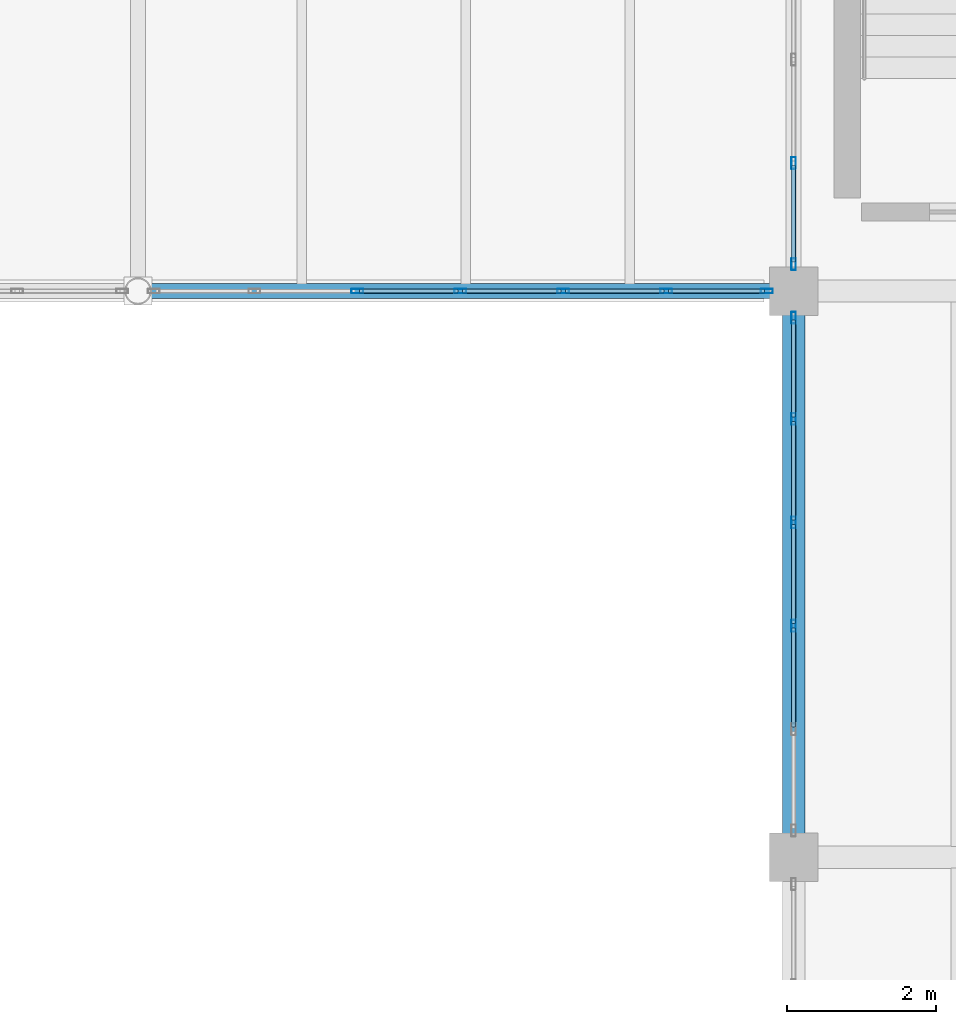
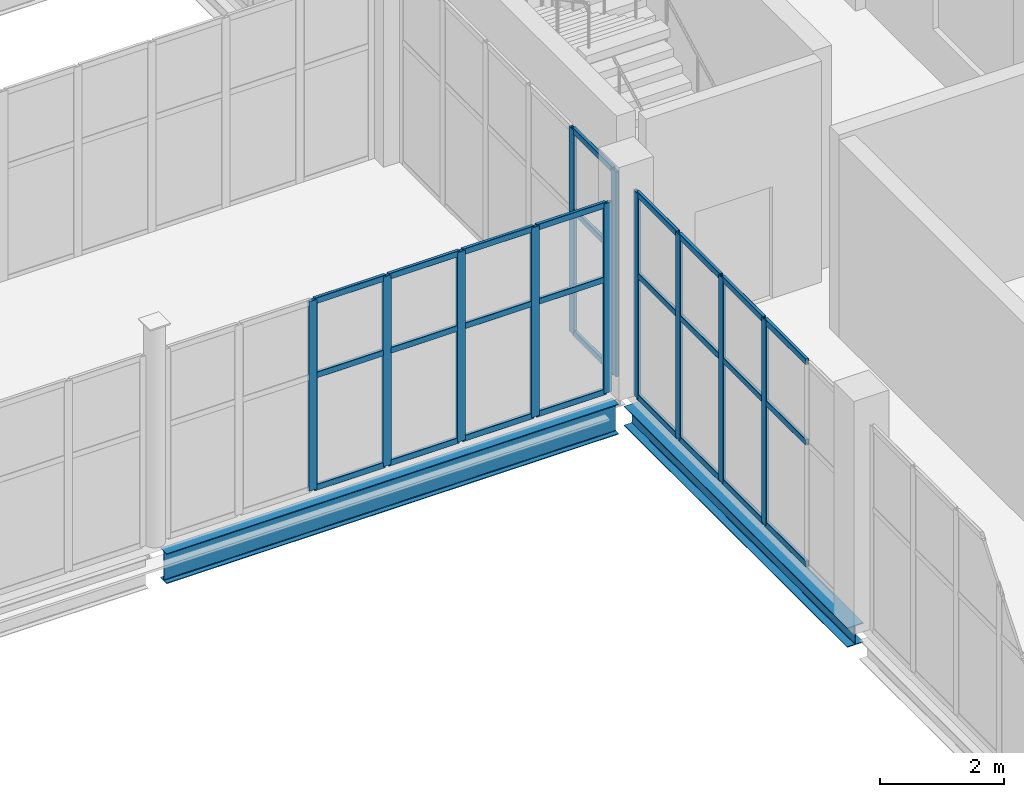
# One storey, part 106 of 172: 38 members, 2 beams, 3 elements without a shape of their own.
"""IFC4 building model written with IfcOpenShell, lengths in metres."""

from ifc_helpers import new_model, si_unit, direction, frame, origin, origin_2d, place, context, subcontext, project, spatial, hollow_rectangle, i_section, extrude, material, material_profile, profile_set, type_object, element, aggregate, save


model = new_model("IFC4")

# Units and contexts
model_context = context("Model", 3, precision=1e-05, world=origin(), true_north=direction((0.0, 1.0)))
body_context = subcontext(model_context, "Body", "Model", "MODEL_VIEW")
ifc_project = project(units=[si_unit("LENGTHUNIT", "METRE"), si_unit("AREAUNIT", "SQUARE_METRE"), si_unit("VOLUMEUNIT", "CUBIC_METRE"), si_unit("PLANEANGLEUNIT", "RADIAN"), si_unit("MASSUNIT", "GRAM", prefix="KILO")], contexts=[model_context])

# Site, building, storey
site_placement = place(None, origin())
site = spatial("IfcSite", under=ifc_project, at=site_placement, CompositionType="ELEMENT")
building_placement = place(site_placement, origin())
building = spatial("IfcBuilding", under=site, at=building_placement, Name="Shengluoqiao Park Theatre", CompositionType="ELEMENT")
storey_placement = place(building_placement, frame((0.0, 0.0, 5.39990234375)))
storey = spatial("IfcBuildingStorey", under=building, at=storey_placement, Name="L01", CompositionType="ELEMENT", Elevation=5.39990234375)

# Curtain wall, members
ifc_material_1 = material(Name="Aluminium 6063-T6", Category="aluminium")
curtain_wall_type_1 = type_object("IfcCurtainWallType", Name="ENV-CW-BRIDGE", PredefinedType="NOTDEFINED", material=ifc_material_1)
curtain_wall_1_placement = place(storey_placement, origin())
curtain_wall_1 = element("IfcCurtainWall", 1, at=curtain_wall_1_placement, inside=storey, type_object=curtain_wall_type_1, Name="L01 Curtain Wall CWX-L01-0135", PredefinedType="NOTDEFINED")
ifc_material_profile_1 = material_profile(ifc_material_1, hollow_rectangle(XDim=0.06005859375, YDim=0.159912109375, WallThickness=0.00390625, InnerFilletRadius=0.00390625, OuterFilletRadius=0.008056640625, at=origin_2d()), Name="ALU MULLION 160x60x4")
ifc_profile_set_1 = profile_set([ifc_material_profile_1], Name="Aluminium 6063-T6")
member_type_1 = type_object("IfcMemberType", Name="ENV-MUL-160", PredefinedType="MULLION", material=ifc_profile_set_1)
member_1_placement = place(storey_placement, frame((151.344970703125, 53.199951171875, 0.0), z_axis=(0.0, 0.0, 1.0), x_axis=(0.0, 1.0, 0.0)))
member_1 = element("IfcMember", 2, at=member_1_placement, type_object=member_type_1, Name="CW-03 mullion 3", PredefinedType="MULLION", context=body_context, shape_type="SweptSolid", body=[
    extrude(hollow_rectangle(XDim=0.06005859375, YDim=0.159912109375, WallThickness=0.00390625, InnerFilletRadius=0.00390625, OuterFilletRadius=0.008056640625, at=origin_2d()), origin(), (0.0, 0.0, 1.0), 3.7421875),
])
member_2_placement = place(storey_placement, frame((152.7265625, 53.199951171875, 0.0), z_axis=(0.0, 0.0, 1.0), x_axis=(0.0, 1.0, 0.0)))
member_2 = element("IfcMember", 3, at=member_2_placement, type_object=member_type_1, Name="CW-03 mullion 4", PredefinedType="MULLION", context=body_context, shape_type="SweptSolid", body=[
    extrude(hollow_rectangle(XDim=0.06005859375, YDim=0.159912109375, WallThickness=0.00390625, InnerFilletRadius=0.00390625, OuterFilletRadius=0.008056640625, at=origin_2d()), origin(), (0.0, 0.0, 1.0), 3.7421875),
])
member_3_placement = place(storey_placement, frame((154.10791015625, 53.199951171875, 0.0), z_axis=(0.0, 0.0, 1.0), x_axis=(0.0, 1.0, 0.0)))
member_3 = element("IfcMember", 4, at=member_3_placement, type_object=member_type_1, Name="CW-03 mullion 5", PredefinedType="MULLION", context=body_context, shape_type="SweptSolid", body=[
    extrude(hollow_rectangle(XDim=0.06005859375, YDim=0.159912109375, WallThickness=0.00390625, InnerFilletRadius=0.00390625, OuterFilletRadius=0.008056640625, at=origin_2d()), origin(), (0.0, 0.0, 1.0), 3.7421875),
])
member_4_placement = place(storey_placement, frame((155.489501953125, 53.199951171875, 0.0), z_axis=(0.0, 0.0, 1.0), x_axis=(0.0, 1.0, 0.0)))
member_4 = element("IfcMember", 5, at=member_4_placement, type_object=member_type_1, Name="CW-03 mullion 6", PredefinedType="MULLION", context=body_context, shape_type="SweptSolid", body=[
    extrude(hollow_rectangle(XDim=0.06005859375, YDim=0.159912109375, WallThickness=0.00390625, InnerFilletRadius=0.00390625, OuterFilletRadius=0.008056640625, at=origin_2d()), origin(), (0.0, 0.0, 1.0), 3.7421875),
])
member_5_placement = place(storey_placement, frame((156.841064453125, 53.199951171875, 0.0), z_axis=(0.0, 0.0, 1.0), x_axis=(0.0, 1.0, 0.0)))
member_5 = element("IfcMember", 6, at=member_5_placement, type_object=member_type_1, Name="CW-03 mullion 7", PredefinedType="MULLION", context=body_context, shape_type="SweptSolid", body=[
    extrude(hollow_rectangle(XDim=0.06005859375, YDim=0.159912109375, WallThickness=0.00390625, InnerFilletRadius=0.00390625, OuterFilletRadius=0.008056640625, at=origin_2d()), origin(), (0.0, 0.0, 1.0), 3.7421875),
])

curtain_wall_type_2 = type_object("IfcCurtainWallType", Name="ENV-CW-COURT", PredefinedType="NOTDEFINED", material=ifc_material_1)
curtain_wall_2_placement = place(storey_placement, origin())
curtain_wall_2 = element("IfcCurtainWall", 7, at=curtain_wall_2_placement, inside=storey, type_object=curtain_wall_type_2, Name="L01 Curtain Wall CWX-L01-0184", PredefinedType="NOTDEFINED")
member_6_placement = place(storey_placement, frame((157.199951171875, 48.705810546875, 0.0), z_axis=(0.0, 0.0, 1.0), x_axis=(-1.0, 0.0, 0.0)))
member_6 = element("IfcMember", 8, at=member_6_placement, type_object=member_type_1, Name="CW-05 mullion 3", PredefinedType="MULLION", context=body_context, shape_type="SweptSolid", body=[
    extrude(hollow_rectangle(XDim=0.06005859375, YDim=0.159912109375, WallThickness=0.00390625, InnerFilletRadius=0.00390625, OuterFilletRadius=0.008056640625, at=origin_2d()), origin(), (0.0, 0.0, 1.0), 4.044189453125),
])
member_7_placement = place(storey_placement, frame((157.199951171875, 50.09423828125, 0.0), z_axis=(0.0, 0.0, 1.0), x_axis=(-1.0, 0.0, 0.0)))
member_7 = element("IfcMember", 9, at=member_7_placement, type_object=member_type_1, Name="CW-05 mullion 4", PredefinedType="MULLION", context=body_context, shape_type="SweptSolid", body=[
    extrude(hollow_rectangle(XDim=0.06005859375, YDim=0.159912109375, WallThickness=0.00390625, InnerFilletRadius=0.00390625, OuterFilletRadius=0.008056640625, at=origin_2d()), origin(), (0.0, 0.0, 1.0), 4.044189453125),
])
member_8_placement = place(storey_placement, frame((157.199951171875, 51.482666015625, 0.0), z_axis=(0.0, 0.0, 1.0), x_axis=(-1.0, 0.0, 0.0)))
member_8 = element("IfcMember", 10, at=member_8_placement, type_object=member_type_1, Name="CW-05 mullion 5", PredefinedType="MULLION", context=body_context, shape_type="SweptSolid", body=[
    extrude(hollow_rectangle(XDim=0.06005859375, YDim=0.159912109375, WallThickness=0.00390625, InnerFilletRadius=0.00390625, OuterFilletRadius=0.008056640625, at=origin_2d()), origin(), (0.0, 0.0, 1.0), 4.044189453125),
])
member_9_placement = place(storey_placement, frame((157.199951171875, 52.841064453125, 0.0), z_axis=(0.0, 0.0, 1.0), x_axis=(-1.0, 0.0, 0.0)))
member_9 = element("IfcMember", 11, at=member_9_placement, type_object=member_type_1, Name="CW-05 mullion 6", PredefinedType="MULLION", context=body_context, shape_type="SweptSolid", body=[
    extrude(hollow_rectangle(XDim=0.06005859375, YDim=0.159912109375, WallThickness=0.00390625, InnerFilletRadius=0.00390625, OuterFilletRadius=0.008056640625, at=origin_2d()), origin(), (0.0, 0.0, 1.0), 4.044189453125),
])

curtain_wall_3_placement = place(storey_placement, origin())
curtain_wall_3 = element("IfcCurtainWall", 12, at=curtain_wall_3_placement, inside=storey, type_object=curtain_wall_type_2, Name="L01 Curtain Wall CWX-L01-0185", PredefinedType="NOTDEFINED")
member_10_placement = place(storey_placement, frame((157.199951171875, 53.55908203125, 0.0), z_axis=(0.0, 0.0, 1.0), x_axis=(-1.0, 0.0, 0.0)))
member_10 = element("IfcMember", 13, at=member_10_placement, type_object=member_type_1, Name="CW-05 mullion 1", PredefinedType="MULLION", context=body_context, shape_type="SweptSolid", body=[
    extrude(hollow_rectangle(XDim=0.06005859375, YDim=0.159912109375, WallThickness=0.00390625, InnerFilletRadius=0.00390625, OuterFilletRadius=0.008056640625, at=origin_2d()), origin(), (0.0, 0.0, 1.0), 4.044189453125),
])
member_11_placement = place(storey_placement, frame((157.199951171875, 54.91748046875, 0.0), z_axis=(0.0, 0.0, 1.0), x_axis=(-1.0, 0.0, 0.0)))
member_11 = element("IfcMember", 14, at=member_11_placement, type_object=member_type_1, Name="CW-05 mullion 2", PredefinedType="MULLION", context=body_context, shape_type="SweptSolid", body=[
    extrude(hollow_rectangle(XDim=0.06005859375, YDim=0.159912109375, WallThickness=0.00390625, InnerFilletRadius=0.00390625, OuterFilletRadius=0.008056640625, at=origin_2d()), origin(), (0.0, 0.0, 1.0), 4.044189453125),
])

# Member
ifc_material_profile_2 = material_profile(ifc_material_1, hollow_rectangle(XDim=0.06005859375, YDim=0.1201171875, WallThickness=0.00390625, InnerFilletRadius=0.00390625, OuterFilletRadius=0.008056640625, at=origin_2d()), Name="ALU TRANSOM 120x60x4")
ifc_profile_set_2 = profile_set([ifc_material_profile_2], Name="Aluminium 6063-T6")
member_type_2 = type_object("IfcMemberType", Name="ENV-TRN-120", PredefinedType="USERDEFINED", material=ifc_profile_set_2)
member_12_placement = place(storey_placement, frame((151.375, 53.199951171875, 0.030029296875), z_axis=(1.0, 0.0, 0.0), x_axis=(0.0, 1.0, 0.0)))
member_12 = element("IfcMember", 15, at=member_12_placement, type_object=member_type_2, Name="CW-03 transom 3.1", ObjectType="TRANSOM", PredefinedType="USERDEFINED", context=body_context, shape_type="SweptSolid", body=[
    extrude(hollow_rectangle(XDim=0.06005859375, YDim=0.1201171875, WallThickness=0.00390625, InnerFilletRadius=0.00390625, OuterFilletRadius=0.008056640625, at=origin_2d()), origin(), (0.0, 0.0, 1.0), 1.321533203125),
])

member_13_placement = place(storey_placement, frame((151.375, 53.199951171875, 2.2451171875), z_axis=(1.0, 0.0, 0.0), x_axis=(0.0, 1.0, 0.0)))
member_13 = element("IfcMember", 16, at=member_13_placement, type_object=member_type_2, Name="CW-03 transom 3.2", ObjectType="TRANSOM", PredefinedType="USERDEFINED", context=body_context, shape_type="SweptSolid", body=[
    extrude(hollow_rectangle(XDim=0.06005859375, YDim=0.1201171875, WallThickness=0.00390625, InnerFilletRadius=0.00390625, OuterFilletRadius=0.008056640625, at=origin_2d()), origin(), (0.0, 0.0, 1.0), 1.321533203125),
])

member_14_placement = place(storey_placement, frame((151.375, 53.199951171875, 3.712158203125), z_axis=(1.0, 0.0, 0.0), x_axis=(0.0, 1.0, 0.0)))
member_14 = element("IfcMember", 17, at=member_14_placement, type_object=member_type_2, Name="CW-03 transom 3.3", ObjectType="TRANSOM", PredefinedType="USERDEFINED", context=body_context, shape_type="SweptSolid", body=[
    extrude(hollow_rectangle(XDim=0.06005859375, YDim=0.1201171875, WallThickness=0.00390625, InnerFilletRadius=0.00390625, OuterFilletRadius=0.008056640625, at=origin_2d()), origin(), (0.0, 0.0, 1.0), 1.321533203125),
])

member_15_placement = place(storey_placement, frame((152.756591796875, 53.199951171875, 0.030029296875), z_axis=(1.0, 0.0, 0.0), x_axis=(0.0, 1.0, 0.0)))
member_15 = element("IfcMember", 18, at=member_15_placement, type_object=member_type_2, Name="CW-03 transom 4.1", ObjectType="TRANSOM", PredefinedType="USERDEFINED", context=body_context, shape_type="SweptSolid", body=[
    extrude(hollow_rectangle(XDim=0.06005859375, YDim=0.1201171875, WallThickness=0.00390625, InnerFilletRadius=0.00390625, OuterFilletRadius=0.008056640625, at=origin_2d()), origin(), (0.0, 0.0, 1.0), 1.3212890625),
])

member_16_placement = place(storey_placement, frame((152.756591796875, 53.199951171875, 2.2451171875), z_axis=(1.0, 0.0, 0.0), x_axis=(0.0, 1.0, 0.0)))
member_16 = element("IfcMember", 19, at=member_16_placement, type_object=member_type_2, Name="CW-03 transom 4.2", ObjectType="TRANSOM", PredefinedType="USERDEFINED", context=body_context, shape_type="SweptSolid", body=[
    extrude(hollow_rectangle(XDim=0.06005859375, YDim=0.1201171875, WallThickness=0.00390625, InnerFilletRadius=0.00390625, OuterFilletRadius=0.008056640625, at=origin_2d()), origin(), (0.0, 0.0, 1.0), 1.3212890625),
])

member_17_placement = place(storey_placement, frame((152.756591796875, 53.199951171875, 3.712158203125), z_axis=(1.0, 0.0, 0.0), x_axis=(0.0, 1.0, 0.0)))
member_17 = element("IfcMember", 20, at=member_17_placement, type_object=member_type_2, Name="CW-03 transom 4.3", ObjectType="TRANSOM", PredefinedType="USERDEFINED", context=body_context, shape_type="SweptSolid", body=[
    extrude(hollow_rectangle(XDim=0.06005859375, YDim=0.1201171875, WallThickness=0.00390625, InnerFilletRadius=0.00390625, OuterFilletRadius=0.008056640625, at=origin_2d()), origin(), (0.0, 0.0, 1.0), 1.3212890625),
])

member_18_placement = place(storey_placement, frame((154.137939453125, 53.199951171875, 0.030029296875), z_axis=(1.0, 0.0, 0.0), x_axis=(0.0, 1.0, 0.0)))
member_18 = element("IfcMember", 21, at=member_18_placement, type_object=member_type_2, Name="CW-03 transom 5.1", ObjectType="TRANSOM", PredefinedType="USERDEFINED", context=body_context, shape_type="SweptSolid", body=[
    extrude(hollow_rectangle(XDim=0.06005859375, YDim=0.1201171875, WallThickness=0.00390625, InnerFilletRadius=0.00390625, OuterFilletRadius=0.008056640625, at=origin_2d()), origin(), (0.0, 0.0, 1.0), 1.321533203125),
])

member_19_placement = place(storey_placement, frame((154.137939453125, 53.199951171875, 2.2451171875), z_axis=(1.0, 0.0, 0.0), x_axis=(0.0, 1.0, 0.0)))
member_19 = element("IfcMember", 22, at=member_19_placement, type_object=member_type_2, Name="CW-03 transom 5.2", ObjectType="TRANSOM", PredefinedType="USERDEFINED", context=body_context, shape_type="SweptSolid", body=[
    extrude(hollow_rectangle(XDim=0.06005859375, YDim=0.1201171875, WallThickness=0.00390625, InnerFilletRadius=0.00390625, OuterFilletRadius=0.008056640625, at=origin_2d()), origin(), (0.0, 0.0, 1.0), 1.321533203125),
])

member_20_placement = place(storey_placement, frame((154.137939453125, 53.199951171875, 3.712158203125), z_axis=(1.0, 0.0, 0.0), x_axis=(0.0, 1.0, 0.0)))
member_20 = element("IfcMember", 23, at=member_20_placement, type_object=member_type_2, Name="CW-03 transom 5.3", ObjectType="TRANSOM", PredefinedType="USERDEFINED", context=body_context, shape_type="SweptSolid", body=[
    extrude(hollow_rectangle(XDim=0.06005859375, YDim=0.1201171875, WallThickness=0.00390625, InnerFilletRadius=0.00390625, OuterFilletRadius=0.008056640625, at=origin_2d()), origin(), (0.0, 0.0, 1.0), 1.321533203125),
])

member_21_placement = place(storey_placement, frame((155.51953125, 53.199951171875, 0.030029296875), z_axis=(1.0, 0.0, 0.0), x_axis=(0.0, 1.0, 0.0)))
member_21 = element("IfcMember", 24, at=member_21_placement, type_object=member_type_2, Name="CW-03 transom 6.1", ObjectType="TRANSOM", PredefinedType="USERDEFINED", context=body_context, shape_type="SweptSolid", body=[
    extrude(hollow_rectangle(XDim=0.06005859375, YDim=0.1201171875, WallThickness=0.00390625, InnerFilletRadius=0.00390625, OuterFilletRadius=0.008056640625, at=origin_2d()), origin(), (0.0, 0.0, 1.0), 1.29150390625),
])

member_22_placement = place(storey_placement, frame((155.51953125, 53.199951171875, 2.2451171875), z_axis=(1.0, 0.0, 0.0), x_axis=(0.0, 1.0, 0.0)))
member_22 = element("IfcMember", 25, at=member_22_placement, type_object=member_type_2, Name="CW-03 transom 6.2", ObjectType="TRANSOM", PredefinedType="USERDEFINED", context=body_context, shape_type="SweptSolid", body=[
    extrude(hollow_rectangle(XDim=0.06005859375, YDim=0.1201171875, WallThickness=0.00390625, InnerFilletRadius=0.00390625, OuterFilletRadius=0.008056640625, at=origin_2d()), origin(), (0.0, 0.0, 1.0), 1.29150390625),
])

member_23_placement = place(storey_placement, frame((155.51953125, 53.199951171875, 3.712158203125), z_axis=(1.0, 0.0, 0.0), x_axis=(0.0, 1.0, 0.0)))
member_23 = element("IfcMember", 26, at=member_23_placement, type_object=member_type_2, Name="CW-03 transom 6.3", ObjectType="TRANSOM", PredefinedType="USERDEFINED", context=body_context, shape_type="SweptSolid", body=[
    extrude(hollow_rectangle(XDim=0.06005859375, YDim=0.1201171875, WallThickness=0.00390625, InnerFilletRadius=0.00390625, OuterFilletRadius=0.008056640625, at=origin_2d()), origin(), (0.0, 0.0, 1.0), 1.29150390625),
])

aggregate(curtain_wall_1, [member_1, member_2, member_3, member_4, member_5, member_12, member_13, member_14, member_15, member_16, member_17, member_18, member_19, member_20, member_21, member_22, member_23])

member_24_placement = place(storey_placement, frame((157.199951171875, 47.347412109375, 0.030029296875), z_axis=(0.0, 1.0, 0.0), x_axis=(-1.0, 0.0, 0.0)))
member_24 = element("IfcMember", 27, at=member_24_placement, type_object=member_type_2, Name="CW-05 transom 2.1", ObjectType="TRANSOM", PredefinedType="USERDEFINED", context=body_context, shape_type="SweptSolid", body=[
    extrude(hollow_rectangle(XDim=0.06005859375, YDim=0.1201171875, WallThickness=0.00390625, InnerFilletRadius=0.00390625, OuterFilletRadius=0.008056640625, at=origin_2d()), origin(), (0.0, 0.0, 1.0), 1.328369140625),
])

member_25_placement = place(storey_placement, frame((157.199951171875, 47.347412109375, 2.426025390625), z_axis=(0.0, 1.0, 0.0), x_axis=(-1.0, 0.0, 0.0)))
member_25 = element("IfcMember", 28, at=member_25_placement, type_object=member_type_2, Name="CW-05 transom 2.2", ObjectType="TRANSOM", PredefinedType="USERDEFINED", context=body_context, shape_type="SweptSolid", body=[
    extrude(hollow_rectangle(XDim=0.06005859375, YDim=0.1201171875, WallThickness=0.00390625, InnerFilletRadius=0.00390625, OuterFilletRadius=0.008056640625, at=origin_2d()), origin(), (0.0, 0.0, 1.0), 1.328369140625),
])

member_26_placement = place(storey_placement, frame((157.199951171875, 47.347412109375, 4.01416015625), z_axis=(0.0, 1.0, 0.0), x_axis=(-1.0, 0.0, 0.0)))
member_26 = element("IfcMember", 29, at=member_26_placement, type_object=member_type_2, Name="CW-05 transom 2.3", ObjectType="TRANSOM", PredefinedType="USERDEFINED", context=body_context, shape_type="SweptSolid", body=[
    extrude(hollow_rectangle(XDim=0.06005859375, YDim=0.1201171875, WallThickness=0.00390625, InnerFilletRadius=0.00390625, OuterFilletRadius=0.008056640625, at=origin_2d()), origin(), (0.0, 0.0, 1.0), 1.328369140625),
])

member_27_placement = place(storey_placement, frame((157.199951171875, 48.73583984375, 0.030029296875), z_axis=(0.0, 1.0, 0.0), x_axis=(-1.0, 0.0, 0.0)))
member_27 = element("IfcMember", 30, at=member_27_placement, type_object=member_type_2, Name="CW-05 transom 3.1", ObjectType="TRANSOM", PredefinedType="USERDEFINED", context=body_context, shape_type="SweptSolid", body=[
    extrude(hollow_rectangle(XDim=0.06005859375, YDim=0.1201171875, WallThickness=0.00390625, InnerFilletRadius=0.00390625, OuterFilletRadius=0.008056640625, at=origin_2d()), origin(), (0.0, 0.0, 1.0), 1.328369140625),
])

member_28_placement = place(storey_placement, frame((157.199951171875, 48.73583984375, 2.426025390625), z_axis=(0.0, 1.0, 0.0), x_axis=(-1.0, 0.0, 0.0)))
member_28 = element("IfcMember", 31, at=member_28_placement, type_object=member_type_2, Name="CW-05 transom 3.2", ObjectType="TRANSOM", PredefinedType="USERDEFINED", context=body_context, shape_type="SweptSolid", body=[
    extrude(hollow_rectangle(XDim=0.06005859375, YDim=0.1201171875, WallThickness=0.00390625, InnerFilletRadius=0.00390625, OuterFilletRadius=0.008056640625, at=origin_2d()), origin(), (0.0, 0.0, 1.0), 1.328369140625),
])

member_29_placement = place(storey_placement, frame((157.199951171875, 48.73583984375, 4.01416015625), z_axis=(0.0, 1.0, 0.0), x_axis=(-1.0, 0.0, 0.0)))
member_29 = element("IfcMember", 32, at=member_29_placement, type_object=member_type_2, Name="CW-05 transom 3.3", ObjectType="TRANSOM", PredefinedType="USERDEFINED", context=body_context, shape_type="SweptSolid", body=[
    extrude(hollow_rectangle(XDim=0.06005859375, YDim=0.1201171875, WallThickness=0.00390625, InnerFilletRadius=0.00390625, OuterFilletRadius=0.008056640625, at=origin_2d()), origin(), (0.0, 0.0, 1.0), 1.328369140625),
])

member_30_placement = place(storey_placement, frame((157.199951171875, 50.124267578125, 0.030029296875), z_axis=(0.0, 1.0, 0.0), x_axis=(-1.0, 0.0, 0.0)))
member_30 = element("IfcMember", 33, at=member_30_placement, type_object=member_type_2, Name="CW-05 transom 4.1", ObjectType="TRANSOM", PredefinedType="USERDEFINED", context=body_context, shape_type="SweptSolid", body=[
    extrude(hollow_rectangle(XDim=0.06005859375, YDim=0.1201171875, WallThickness=0.00390625, InnerFilletRadius=0.00390625, OuterFilletRadius=0.008056640625, at=origin_2d()), origin(), (0.0, 0.0, 1.0), 1.328369140625),
])

member_31_placement = place(storey_placement, frame((157.199951171875, 50.124267578125, 2.426025390625), z_axis=(0.0, 1.0, 0.0), x_axis=(-1.0, 0.0, 0.0)))
member_31 = element("IfcMember", 34, at=member_31_placement, type_object=member_type_2, Name="CW-05 transom 4.2", ObjectType="TRANSOM", PredefinedType="USERDEFINED", context=body_context, shape_type="SweptSolid", body=[
    extrude(hollow_rectangle(XDim=0.06005859375, YDim=0.1201171875, WallThickness=0.00390625, InnerFilletRadius=0.00390625, OuterFilletRadius=0.008056640625, at=origin_2d()), origin(), (0.0, 0.0, 1.0), 1.328369140625),
])

member_32_placement = place(storey_placement, frame((157.199951171875, 50.124267578125, 4.01416015625), z_axis=(0.0, 1.0, 0.0), x_axis=(-1.0, 0.0, 0.0)))
member_32 = element("IfcMember", 35, at=member_32_placement, type_object=member_type_2, Name="CW-05 transom 4.3", ObjectType="TRANSOM", PredefinedType="USERDEFINED", context=body_context, shape_type="SweptSolid", body=[
    extrude(hollow_rectangle(XDim=0.06005859375, YDim=0.1201171875, WallThickness=0.00390625, InnerFilletRadius=0.00390625, OuterFilletRadius=0.008056640625, at=origin_2d()), origin(), (0.0, 0.0, 1.0), 1.328369140625),
])

member_33_placement = place(storey_placement, frame((157.199951171875, 51.5126953125, 0.030029296875), z_axis=(0.0, 1.0, 0.0), x_axis=(-1.0, 0.0, 0.0)))
member_33 = element("IfcMember", 36, at=member_33_placement, type_object=member_type_2, Name="CW-05 transom 5.1", ObjectType="TRANSOM", PredefinedType="USERDEFINED", context=body_context, shape_type="SweptSolid", body=[
    extrude(hollow_rectangle(XDim=0.06005859375, YDim=0.1201171875, WallThickness=0.00390625, InnerFilletRadius=0.00390625, OuterFilletRadius=0.008056640625, at=origin_2d()), origin(), (0.0, 0.0, 1.0), 1.29833984375),
])

member_34_placement = place(storey_placement, frame((157.199951171875, 51.5126953125, 2.426025390625), z_axis=(0.0, 1.0, 0.0), x_axis=(-1.0, 0.0, 0.0)))
member_34 = element("IfcMember", 37, at=member_34_placement, type_object=member_type_2, Name="CW-05 transom 5.2", ObjectType="TRANSOM", PredefinedType="USERDEFINED", context=body_context, shape_type="SweptSolid", body=[
    extrude(hollow_rectangle(XDim=0.06005859375, YDim=0.1201171875, WallThickness=0.00390625, InnerFilletRadius=0.00390625, OuterFilletRadius=0.008056640625, at=origin_2d()), origin(), (0.0, 0.0, 1.0), 1.29833984375),
])

member_35_placement = place(storey_placement, frame((157.199951171875, 51.5126953125, 4.01416015625), z_axis=(0.0, 1.0, 0.0), x_axis=(-1.0, 0.0, 0.0)))
member_35 = element("IfcMember", 38, at=member_35_placement, type_object=member_type_2, Name="CW-05 transom 5.3", ObjectType="TRANSOM", PredefinedType="USERDEFINED", context=body_context, shape_type="SweptSolid", body=[
    extrude(hollow_rectangle(XDim=0.06005859375, YDim=0.1201171875, WallThickness=0.00390625, InnerFilletRadius=0.00390625, OuterFilletRadius=0.008056640625, at=origin_2d()), origin(), (0.0, 0.0, 1.0), 1.29833984375),
])

aggregate(curtain_wall_2, [member_6, member_7, member_8, member_9, member_24, member_25, member_26, member_27, member_28, member_29, member_30, member_31, member_32, member_33, member_34, member_35])

member_36_placement = place(storey_placement, frame((157.199951171875, 53.589111328125, 0.030029296875), z_axis=(0.0, 1.0, 0.0), x_axis=(-1.0, 0.0, 0.0)))
member_36 = element("IfcMember", 39, at=member_36_placement, type_object=member_type_2, Name="CW-05 transom 1.1", ObjectType="TRANSOM", PredefinedType="USERDEFINED", context=body_context, shape_type="SweptSolid", body=[
    extrude(hollow_rectangle(XDim=0.06005859375, YDim=0.1201171875, WallThickness=0.00390625, InnerFilletRadius=0.00390625, OuterFilletRadius=0.008056640625, at=origin_2d()), origin(), (0.0, 0.0, 1.0), 1.29833984375),
])

member_37_placement = place(storey_placement, frame((157.199951171875, 53.589111328125, 2.426025390625), z_axis=(0.0, 1.0, 0.0), x_axis=(-1.0, 0.0, 0.0)))
member_37 = element("IfcMember", 40, at=member_37_placement, type_object=member_type_2, Name="CW-05 transom 1.2", ObjectType="TRANSOM", PredefinedType="USERDEFINED", context=body_context, shape_type="SweptSolid", body=[
    extrude(hollow_rectangle(XDim=0.06005859375, YDim=0.1201171875, WallThickness=0.00390625, InnerFilletRadius=0.00390625, OuterFilletRadius=0.008056640625, at=origin_2d()), origin(), (0.0, 0.0, 1.0), 1.29833984375),
])

member_38_placement = place(storey_placement, frame((157.199951171875, 53.589111328125, 4.01416015625), z_axis=(0.0, 1.0, 0.0), x_axis=(-1.0, 0.0, 0.0)))
member_38 = element("IfcMember", 41, at=member_38_placement, type_object=member_type_2, Name="CW-05 transom 1.3", ObjectType="TRANSOM", PredefinedType="USERDEFINED", context=body_context, shape_type="SweptSolid", body=[
    extrude(hollow_rectangle(XDim=0.06005859375, YDim=0.1201171875, WallThickness=0.00390625, InnerFilletRadius=0.00390625, OuterFilletRadius=0.008056640625, at=origin_2d()), origin(), (0.0, 0.0, 1.0), 1.29833984375),
])

aggregate(curtain_wall_3, [member_10, member_11, member_36, member_37, member_38])

# Beams
ifc_material_2 = material(Name="Steel Q355", Category="steel")
ifc_material_profile_3 = material_profile(ifc_material_2, i_section(OverallWidth=0.300048828125, OverallDepth=0.389892578125, WebThickness=0.010009765625, FlangeThickness=0.01611328125, FilletRadius=0.01806640625, at=origin_2d()), Name="HM 390x300x10x16")
ifc_profile_set_3 = profile_set([ifc_material_profile_3], Name="Steel Q355")
beam_type_1 = type_object("IfcBeamType", Name="STR-BM-G-HM390", PredefinedType="BEAM", material=ifc_profile_set_3)
beam_1_placement = place(storey_placement, frame((157.199951171875, 45.7939453125, -0.434814453125), z_axis=(0.0, 1.0, 0.0), x_axis=(-1.0, 0.0, 0.0)))
element("IfcBeam", 42, at=beam_1_placement, inside=storey, type_object=beam_type_1, Name="L01 Transverse Girder 00740", PredefinedType="BEAM", context=body_context, shape_type="SweptSolid", body=[
    extrude(i_section(OverallWidth=0.300048828125, OverallDepth=0.389892578125, WebThickness=0.010009765625, FlangeThickness=0.01611328125, FilletRadius=0.01806640625, at=origin_2d()), origin(), (0.0, 0.0, 1.0), 7.212158203125),
])
ifc_material_profile_4 = material_profile(ifc_material_2, i_section(OverallWidth=0.198974609375, OverallDepth=0.595947265625, WebThickness=0.010009765625, FlangeThickness=0.014892578125, FilletRadius=0.02001953125, at=origin_2d()), Name="HN 596x199x10x15")
ifc_profile_set_4 = profile_set([ifc_material_profile_4], Name="Steel Q355")
beam_type_2 = type_object("IfcBeamType", Name="STR-BM-SP-HN596", PredefinedType="SPANDREL", material=ifc_profile_set_4)
beam_2_placement = place(storey_placement, frame((148.572021484375, 53.199951171875, -0.537841796875), z_axis=(1.0, 0.0, 0.0), x_axis=(0.0, 1.0, 0.0)))
element("IfcBeam", 43, at=beam_2_placement, inside=storey, type_object=beam_type_2, Name="L01 Primary Girder 00573", PredefinedType="SPANDREL", context=body_context, shape_type="SweptSolid", body=[
    extrude(i_section(OverallWidth=0.198974609375, OverallDepth=0.595947265625, WebThickness=0.010009765625, FlangeThickness=0.014892578125, FilletRadius=0.02001953125, at=origin_2d()), origin(), (0.0, 0.0, 1.0), 8.429931640625),
])

save(model, "model.ifc")
